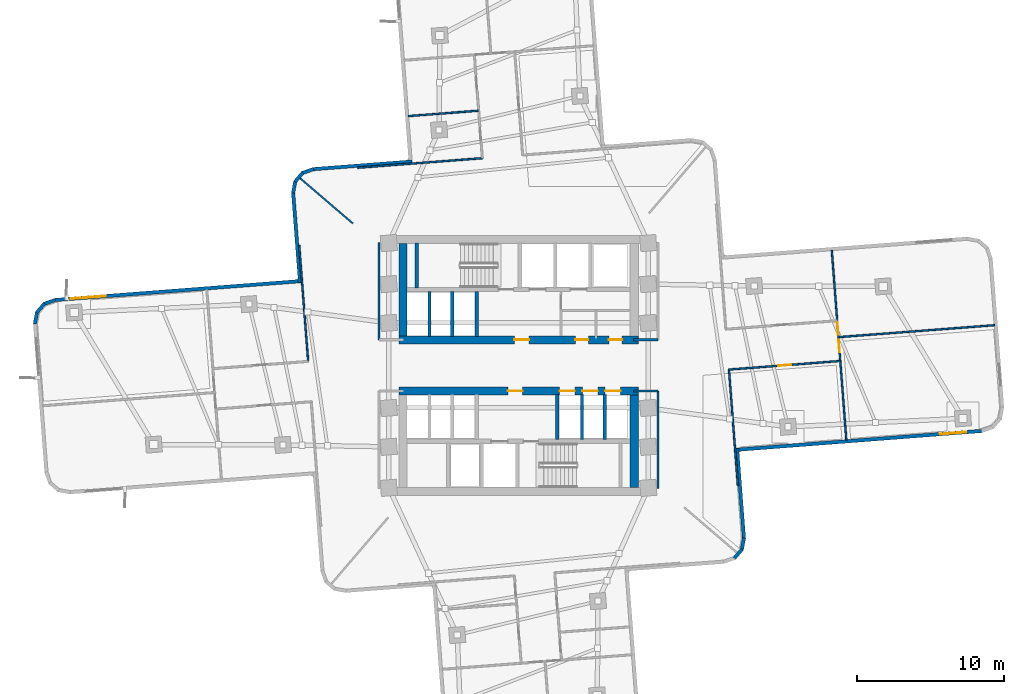
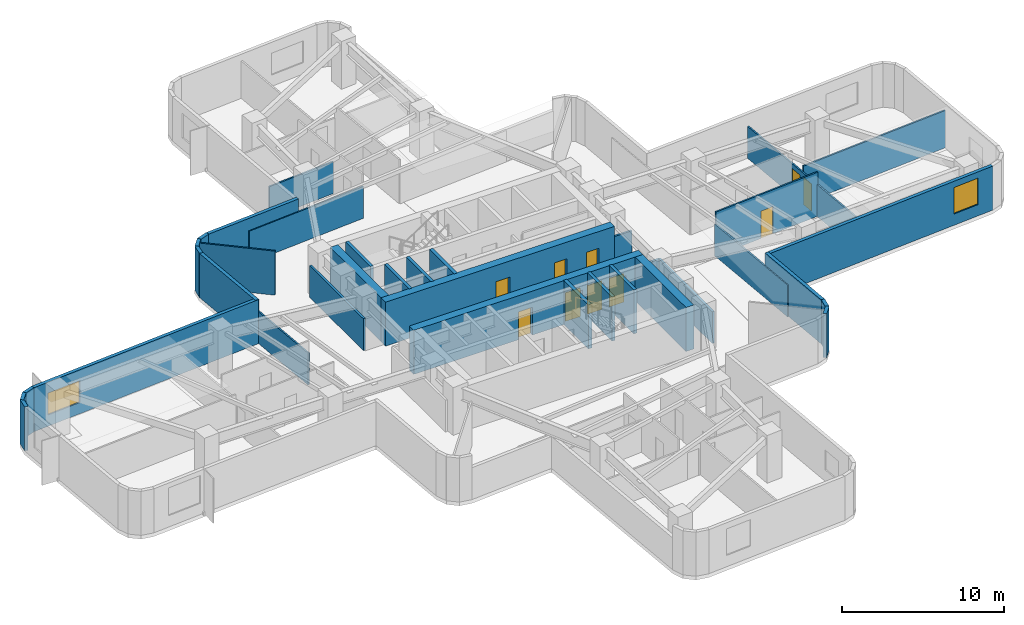
# One storey, part 4 of 10: 36 walls, 10 doors, 2 windows, 12 openings.
"""IFC4 building model written with IfcOpenShell, lengths in metres."""

from ifc_helpers import new_model, si_unit, direction, frame, frame_2d, origin, place, context, subcontext, project, spatial, rectangle, extrude, material, layer, layer_set, type_object, element, fill, save


model = new_model("IFC4")

# Units and contexts
model_context = context("Model", 3, precision=1e-05, world=origin(), true_north=direction((0.0, 1.0)))
body_context = subcontext(model_context, "Body", "Model", "MODEL_VIEW")
ifc_project = project(units=[si_unit("LENGTHUNIT", "METRE"), si_unit("AREAUNIT", "SQUARE_METRE"), si_unit("VOLUMEUNIT", "CUBIC_METRE"), si_unit("PLANEANGLEUNIT", "RADIAN"), si_unit("MASSUNIT", "GRAM", prefix="KILO")], contexts=[model_context])

# Site, building, storey
site_placement = place(None, origin())
site = spatial("IfcSite", under=ifc_project, at=site_placement, CompositionType="ELEMENT")
building_placement = place(site_placement, origin())
building = spatial("IfcBuilding", under=site, at=building_placement, Name="Solmarez Civic Tower", CompositionType="ELEMENT")
storey_placement = place(building_placement, frame((0.0, 0.0, 56.8798828125)))
storey = spatial("IfcBuildingStorey", under=building, at=storey_placement, Name="L14", CompositionType="ELEMENT", Elevation=56.8798828125)

# Wall, openings, doors
ifc_material_1 = material(Name="Concrete C60/75", Category="concrete")
ifc_layer_1 = layer(ifc_material_1, 0.550048828125)
ifc_layer_set_1 = layer_set([ifc_layer_1], Name="Concrete C60/75")
wall_type_1 = type_object("IfcWallType", Name="WALL-CORE-550", PredefinedType="SHEAR", material=ifc_layer_set_1)
wall_1_placement = place(storey_placement, frame((8.169921875, 1.75, 0.0), z_axis=(0.0, 0.0, 1.0), x_axis=(-1.0, 0.0, 0.0)))
wall_1 = element("IfcWall", 1, at=wall_1_placement, inside=storey, type_object=wall_type_1, Name="L14 Split-Core Structural Wall NCW-S-L14", PredefinedType="SHEAR", context=body_context, shape_type="SweptSolid", body=[
    extrude(rectangle(XDim=16.33984375, YDim=0.550048828125, at=frame_2d((8.169921875, 0.0))), origin(), (0.0, 0.0, 1.0), 3.320068359375),
])
opening_1_placement = place(wall_1_placement, frame((7.449951171875, 0.0, 0.0)))
opening_1 = element("IfcOpeningElement", 2, at=opening_1_placement, cuts=wall_1, Name="Opening D-04", PredefinedType="OPENING", context=body_context, shape_type="SweptSolid", body=[
    extrude(rectangle(XDim=1.0, YDim=2.10009765625, at=frame_2d((0.5, 1.050048828125))), frame((0.0, 0.284912109375, 0.0), z_axis=(0.0, -1.0, 0.0), x_axis=(1.0, 0.0, 0.0)), (0.0, 0.0, 1.0), 0.570068359375),
])
opening_2_placement = place(wall_1_placement, frame((3.39990234375, 0.0, 0.0)))
opening_2 = element("IfcOpeningElement", 3, at=opening_2_placement, cuts=wall_1, Name="Opening D-09", PredefinedType="OPENING", context=body_context, shape_type="SweptSolid", body=[
    extrude(rectangle(XDim=0.89990234375, YDim=2.06005859375, at=frame_2d((0.449951171875, 1.030029296875))), frame((0.0, 0.284912109375, 0.0), z_axis=(0.0, -1.0, 0.0), x_axis=(1.0, 0.0, 0.0)), (0.0, 0.0, 1.0), 0.570068359375),
])
opening_3_placement = place(wall_1_placement, frame((1.10009765625, 0.0, 0.0)))
opening_3 = element("IfcOpeningElement", 4, at=opening_3_placement, cuts=wall_1, Name="Opening D-09", PredefinedType="OPENING", context=body_context, shape_type="SweptSolid", body=[
    extrude(rectangle(XDim=0.89990234375, YDim=2.06005859375, at=frame_2d((0.449951171875, 1.030029296875))), frame((0.0, 0.284912109375, 0.0), z_axis=(0.0, -1.0, 0.0), x_axis=(1.0, 0.0, 0.0)), (0.0, 0.0, 1.0), 0.570068359375),
])
ifc_material_2 = material(Name="Steel-Faced Acoustic Fire Door", Category="steel")
door_type_1 = type_object("IfcDoorType", Name="DOOR-FD60-1000", OperationType="NOTDEFINED", PredefinedType="DOOR", material=ifc_material_2)
door_1_placement = place(opening_1_placement, origin())
door_1 = element("IfcDoor", 5, at=door_1_placement, inside=storey, type_object=door_type_1, Name="L14 North Firefighting Lobby Door", OperationType="SINGLE_SWING_LEFT", OverallHeight=2.10009765625, OverallWidth=1.0, PredefinedType="DOOR", context=body_context, shape_type="SweptSolid", body=[
    extrude(rectangle(XDim=1.0, YDim=2.10009765625, at=frame_2d((0.5, 1.050048828125))), frame((0.0, 0.02490234375, 0.0), z_axis=(0.0, -1.0, 0.0), x_axis=(1.0, 0.0, 0.0)), (0.0, 0.0, 1.0), 0.050048828125),
])
fill(opening_1, door_1)
ifc_material_3 = material(Name="Fire-Rated Service Core Door", Category="wood")
door_type_2 = type_object("IfcDoorType", Name="DOOR-FD60-900", OperationType="NOTDEFINED", PredefinedType="DOOR", material=ifc_material_3)
door_2_placement = place(opening_2_placement, origin())
door_2 = element("IfcDoor", 6, at=door_2_placement, inside=storey, type_object=door_type_2, Name="L14 Core WC Door", OperationType="SINGLE_SWING_LEFT", OverallHeight=2.06005859375, OverallWidth=0.89990234375, PredefinedType="DOOR", context=body_context, shape_type="SweptSolid", body=[
    extrude(rectangle(XDim=0.89990234375, YDim=2.06005859375, at=frame_2d((0.449951171875, 1.030029296875))), frame((0.0, 0.02490234375, 0.0), z_axis=(0.0, -1.0, 0.0), x_axis=(1.0, 0.0, 0.0)), (0.0, 0.0, 1.0), 0.050048828125),
])
fill(opening_2, door_2)
door_3_placement = place(opening_3_placement, origin())
door_3 = element("IfcDoor", 7, at=door_3_placement, inside=storey, type_object=door_type_2, Name="L14 Core CL Door", OperationType="SINGLE_SWING_RIGHT", OverallHeight=2.06005859375, OverallWidth=0.89990234375, PredefinedType="DOOR", context=body_context, shape_type="SweptSolid", body=[
    extrude(rectangle(XDim=0.89990234375, YDim=2.06005859375, at=frame_2d((0.449951171875, 1.030029296875))), frame((0.0, 0.02490234375, 0.0), z_axis=(0.0, -1.0, 0.0), x_axis=(1.0, 0.0, 0.0)), (0.0, 0.0, 1.0), 0.050048828125),
])
fill(opening_3, door_3)

# Wall
wall_2_placement = place(storey_placement, frame((-7.89501953125, 2.02490234375, 0.0), z_axis=(0.0, 0.0, 1.0), x_axis=(0.0, 1.0, 0.0)))
element("IfcWall", 8, at=wall_2_placement, inside=storey, type_object=wall_type_1, Name="L14 Split-Core Structural Wall NCW-W-L14", PredefinedType="SHEAR", context=body_context, shape_type="SweptSolid", body=[
    extrude(rectangle(XDim=6.28515625, YDim=0.550048828125, at=frame_2d((3.142578125, 0.0))), origin(), (0.0, 0.0, 1.0), 3.320068359375),
])

# Wall, openings, doors
wall_3_placement = place(storey_placement, frame((-8.169921875, -1.75, 0.0), z_axis=(0.0, 0.0, 1.0), x_axis=(1.0, 0.0, 0.0)))
wall_3 = element("IfcWall", 9, at=wall_3_placement, inside=storey, type_object=wall_type_1, Name="L14 Split-Core Structural Wall SCW-N-L14", PredefinedType="SHEAR", context=body_context, shape_type="SweptSolid", body=[
    extrude(rectangle(XDim=16.33984375, YDim=0.550048828125, at=frame_2d((8.169921875, 0.0))), origin(), (0.0, 0.0, 1.0), 3.320068359375),
])
opening_4_placement = place(wall_3_placement, frame((7.449951171875, 0.0, 0.0)))
opening_4 = element("IfcOpeningElement", 10, at=opening_4_placement, cuts=wall_3, Name="Opening D-04", PredefinedType="OPENING", context=body_context, shape_type="SweptSolid", body=[
    extrude(rectangle(XDim=1.0, YDim=2.10009765625, at=frame_2d((0.5, 1.050048828125))), frame((0.0, 0.284912109375, 0.0), z_axis=(0.0, -1.0, 0.0), x_axis=(1.0, 0.0, 0.0)), (0.0, 0.0, 1.0), 0.570068359375),
])
opening_5_placement = place(wall_3_placement, frame((10.965087890625, 0.0, 0.0)))
opening_5 = element("IfcOpeningElement", 11, at=opening_5_placement, cuts=wall_3, Name="Opening LD-01", PredefinedType="OPENING", context=body_context, shape_type="SweptSolid", body=[
    extrude(rectangle(XDim=1.050048828125, YDim=2.14990234375, at=frame_2d((0.52490234375, 1.074951171875))), frame((0.0, 0.284912109375, 0.0), z_axis=(0.0, -1.0, 0.0), x_axis=(1.0, 0.0, 0.0)), (0.0, 0.0, 1.0), 0.570068359375),
])
opening_6_placement = place(wall_3_placement, frame((12.52490234375, 0.0, 0.0)))
opening_6 = element("IfcOpeningElement", 12, at=opening_6_placement, cuts=wall_3, Name="Opening LD-01", PredefinedType="OPENING", context=body_context, shape_type="SweptSolid", body=[
    extrude(rectangle(XDim=1.050048828125, YDim=2.14990234375, at=frame_2d((0.52490234375, 1.074951171875))), frame((0.0, 0.284912109375, 0.0), z_axis=(0.0, -1.0, 0.0), x_axis=(1.0, 0.0, 0.0)), (0.0, 0.0, 1.0), 0.570068359375),
])
opening_7_placement = place(wall_3_placement, frame((14.0849609375, 0.0, 0.0)))
opening_7 = element("IfcOpeningElement", 13, at=opening_7_placement, cuts=wall_3, Name="Opening LD-01", PredefinedType="OPENING", context=body_context, shape_type="SweptSolid", body=[
    extrude(rectangle(XDim=1.050048828125, YDim=2.14990234375, at=frame_2d((0.52490234375, 1.074951171875))), frame((0.0, 0.284912109375, 0.0), z_axis=(0.0, -1.0, 0.0), x_axis=(1.0, 0.0, 0.0)), (0.0, 0.0, 1.0), 0.570068359375),
])
door_4_placement = place(opening_4_placement, origin())
door_4 = element("IfcDoor", 14, at=door_4_placement, inside=storey, type_object=door_type_1, Name="L14 South Firefighting Lobby Door", OperationType="SINGLE_SWING_RIGHT", OverallHeight=2.10009765625, OverallWidth=1.0, PredefinedType="DOOR", context=body_context, shape_type="SweptSolid", body=[
    extrude(rectangle(XDim=1.0, YDim=2.10009765625, at=frame_2d((0.5, 1.050048828125))), frame((0.0, 0.02490234375, 0.0), z_axis=(0.0, -1.0, 0.0), x_axis=(1.0, 0.0, 0.0)), (0.0, 0.0, 1.0), 0.050048828125),
])
fill(opening_4, door_4)
ifc_material_4 = material(Name="Bronze Passenger Lift Landing Sliding Door", Category="aluminium")
door_type_3 = type_object("IfcDoorType", Name="DOOR-LD-PAX-1050", OperationType="DOUBLE_DOOR_SLIDING", PredefinedType="DOOR", material=ifc_material_4)
door_5_placement = place(opening_5_placement, origin())
door_5 = element("IfcDoor", 15, at=door_5_placement, inside=storey, type_object=door_type_3, Name="L14 Low-Rise Lift Landing Door PL-L1", OperationType="DOUBLE_DOOR_SLIDING", OverallHeight=2.14990234375, OverallWidth=1.050048828125, PredefinedType="DOOR", context=body_context, shape_type="SweptSolid", body=[
    extrude(rectangle(XDim=1.050048828125, YDim=2.14990234375, at=frame_2d((0.52490234375, 1.074951171875))), frame((0.0, 0.02490234375, 0.0), z_axis=(0.0, -1.0, 0.0), x_axis=(1.0, 0.0, 0.0)), (0.0, 0.0, 1.0), 0.050048828125),
])
fill(opening_5, door_5)
door_6_placement = place(opening_6_placement, origin())
door_6 = element("IfcDoor", 16, at=door_6_placement, inside=storey, type_object=door_type_3, Name="L14 Low-Rise Lift Landing Door PL-L2", OperationType="DOUBLE_DOOR_SLIDING", OverallHeight=2.14990234375, OverallWidth=1.050048828125, PredefinedType="DOOR", context=body_context, shape_type="SweptSolid", body=[
    extrude(rectangle(XDim=1.050048828125, YDim=2.14990234375, at=frame_2d((0.52490234375, 1.074951171875))), frame((0.0, 0.02490234375, 0.0), z_axis=(0.0, -1.0, 0.0), x_axis=(1.0, 0.0, 0.0)), (0.0, 0.0, 1.0), 0.050048828125),
])
fill(opening_6, door_6)
door_7_placement = place(opening_7_placement, origin())
door_7 = element("IfcDoor", 17, at=door_7_placement, inside=storey, type_object=door_type_3, Name="L14 Low-Rise Lift Landing Door PL-L3", OperationType="DOUBLE_DOOR_SLIDING", OverallHeight=2.14990234375, OverallWidth=1.050048828125, PredefinedType="DOOR", context=body_context, shape_type="SweptSolid", body=[
    extrude(rectangle(XDim=1.050048828125, YDim=2.14990234375, at=frame_2d((0.52490234375, 1.074951171875))), frame((0.0, 0.02490234375, 0.0), z_axis=(0.0, -1.0, 0.0), x_axis=(1.0, 0.0, 0.0)), (0.0, 0.0, 1.0), 0.050048828125),
])
fill(opening_7, door_7)

# Walls
wall_4_placement = place(storey_placement, frame((7.89501953125, -2.02490234375, 0.0), z_axis=(0.0, 0.0, 1.0), x_axis=(0.0, -1.0, 0.0)))
element("IfcWall", 18, at=wall_4_placement, inside=storey, type_object=wall_type_1, Name="L14 Split-Core Structural Wall SCW-E-L14", PredefinedType="SHEAR", context=body_context, shape_type="SweptSolid", body=[
    extrude(rectangle(XDim=6.28515625, YDim=0.550048828125, at=frame_2d((3.142578125, 0.0))), origin(), (0.0, 0.0, 1.0), 3.320068359375),
])
ifc_material_5 = material(Name="Precast concrete C40/50", Category="concrete")
ifc_layer_2 = layer(ifc_material_5, 0.239990234375)
ifc_layer_set_2 = layer_set([ifc_layer_2], Name="Precast concrete C40/50")
wall_type_2 = type_object("IfcWallType", Name="WALL-EXT-240", PredefinedType="SOLIDWALL", material=ifc_layer_set_2)
wall_5_placement = place(storey_placement, frame((-33.001953125, 2.8359375, 0.0), z_axis=(0.0, 0.0, 1.0), x_axis=(0.185263427582, 0.982688894005, 0.0)))
element("IfcWall", 19, at=wall_5_placement, inside=storey, type_object=wall_type_2, Name="L14 Exterior Precast Wall 7", PredefinedType="SOLIDWALL", context=body_context, shape_type="SweptSolid", body=[
    extrude(rectangle(XDim=0.83154296875, YDim=0.239990234375, at=frame_2d((0.415771484375, 0.0))), origin(), (0.0, 0.0, 1.0), 3.320068359375),
])
wall_6_placement = place(storey_placement, frame((-32.868896484375, 3.60888671875, 0.0), z_axis=(0.0, 0.0, 1.0), x_axis=(0.650049601962, 0.759891778471, 0.0)))
element("IfcWall", 20, at=wall_6_placement, inside=storey, type_object=wall_type_2, Name="L14 Exterior Precast Wall 8", PredefinedType="SOLIDWALL", context=body_context, shape_type="SweptSolid", body=[
    extrude(rectangle(XDim=0.8134765625, YDim=0.239990234375, at=frame_2d((0.40673828125, 0.0))), origin(), (0.0, 0.0, 1.0), 3.320068359375),
])
wall_7_placement = place(storey_placement, frame((-32.3798828125, 4.199951171875, 0.0), z_axis=(0.0, 0.0, 1.0), x_axis=(0.943569376564, 0.331174926, 0.0)))
element("IfcWall", 21, at=wall_7_placement, inside=storey, type_object=wall_type_2, Name="L14 Exterior Precast Wall 9", PredefinedType="SOLIDWALL", context=body_context, shape_type="SweptSolid", body=[
    extrude(rectangle(XDim=0.830810546875, YDim=0.239990234375, at=frame_2d((0.41552734375, 0.0))), origin(), (0.0, 0.0, 1.0), 3.320068359375),
])

# Wall, opening, window
wall_8_placement = place(storey_placement, frame((-31.64501953125, 4.465087890625, 0.0), z_axis=(0.0, 0.0, 1.0), x_axis=(0.997051676532, 0.076733006752, 0.0)))
wall_8 = element("IfcWall", 22, at=wall_8_placement, inside=storey, type_object=wall_type_2, Name="L14 Exterior Precast Wall 10", PredefinedType="SOLIDWALL", context=body_context, shape_type="SweptSolid", body=[
    extrude(rectangle(XDim=16.875732421875, YDim=0.239990234375, at=frame_2d((8.43798828125, 0.0))), origin(), (0.0, 0.0, 1.0), 3.320068359375),
])
opening_8_placement = place(wall_8_placement, frame((1.10009765625, 0.0, 0.85009765625)))
opening_8 = element("IfcOpeningElement", 23, at=opening_8_placement, cuts=wall_8, Name="Opening W-10", PredefinedType="OPENING", context=body_context, shape_type="SweptSolid", body=[
    extrude(rectangle(XDim=2.39990234375, YDim=1.64990234375, at=frame_2d((1.199951171875, 0.824951171875))), frame((0.0, 0.1298828125, 0.0), z_axis=(0.0, -1.0, 0.0), x_axis=(1.0, 0.0, 0.0)), (0.0, 0.0, 1.0), 0.260009765625),
])
ifc_material_6 = material(Name="Solar Control Bronze-Tinted Insulating Glass", Category="glass")
window_type_1 = type_object("IfcWindowType", Name="WIN-2400X1650", PartitioningType="SINGLE_PANEL", PredefinedType="WINDOW", material=ifc_material_6)
window_1_placement = place(opening_8_placement, origin())
window_1 = element("IfcWindow", 24, at=window_1_placement, inside=storey, type_object=window_type_1, Name="L14 Exterior Facade Window 10", OverallHeight=1.64990234375, OverallWidth=2.39990234375, PartitioningType="SINGLE_PANEL", PredefinedType="WINDOW", context=body_context, shape_type="SweptSolid", body=[
    extrude(rectangle(XDim=2.39990234375, YDim=1.64990234375, at=frame_2d((1.199951171875, 0.824951171875))), frame((0.0, 0.030029296875, 0.0), z_axis=(0.0, -1.0, 0.0), x_axis=(1.0, 0.0, 0.0)), (0.0, 0.0, 1.0), 0.06005859375),
])
fill(opening_8, window_1)

# Walls
wall_9_placement = place(storey_placement, frame((-14.907958984375, 5.656982421875, 0.0), z_axis=(0.0, 0.0, 1.0), x_axis=(-0.076778128006, 0.997048202977, 0.0)))
element("IfcWall", 25, at=wall_9_placement, inside=storey, type_object=wall_type_2, Name="L14 Exterior Precast Wall 13", PredefinedType="SOLIDWALL", context=body_context, shape_type="SweptSolid", body=[
    extrude(rectangle(XDim=6.17529296875, YDim=0.239990234375, at=frame_2d((3.087646484375, 0.0))), origin(), (0.0, 0.0, 1.0), 3.320068359375),
])
wall_10_placement = place(storey_placement, frame((-15.385009765625, 11.763916015625, 0.0), z_axis=(0.0, 0.0, 1.0), x_axis=(0.185263427582, 0.982688894005, 0.0)))
element("IfcWall", 26, at=wall_10_placement, inside=storey, type_object=wall_type_2, Name="L14 Exterior Precast Wall 14", PredefinedType="SOLIDWALL", context=body_context, shape_type="SweptSolid", body=[
    extrude(rectangle(XDim=0.83154296875, YDim=0.239990234375, at=frame_2d((0.415771484375, 0.0))), origin(), (0.0, 0.0, 1.0), 3.320068359375),
])
wall_11_placement = place(storey_placement, frame((-15.251953125, 12.537109375, 0.0), z_axis=(0.0, 0.0, 1.0), x_axis=(0.650371098657, 0.759616636226, 0.0)))
element("IfcWall", 27, at=wall_11_placement, inside=storey, type_object=wall_type_2, Name="L14 Exterior Precast Wall 15", PredefinedType="SOLIDWALL", context=body_context, shape_type="SweptSolid", body=[
    extrude(rectangle(XDim=0.8134765625, YDim=0.239990234375, at=frame_2d((0.40673828125, 0.0))), origin(), (0.0, 0.0, 1.0), 3.320068359375),
])
wall_12_placement = place(storey_placement, frame((-14.762939453125, 13.1279296875, 0.0), z_axis=(0.0, 0.0, 1.0), x_axis=(0.943569376564, 0.331174926, 0.0)))
element("IfcWall", 28, at=wall_12_placement, inside=storey, type_object=wall_type_2, Name="L14 Exterior Precast Wall 16", PredefinedType="SOLIDWALL", context=body_context, shape_type="SweptSolid", body=[
    extrude(rectangle(XDim=0.830810546875, YDim=0.239990234375, at=frame_2d((0.41552734375, 0.0))), origin(), (0.0, 0.0, 1.0), 3.320068359375),
])
wall_13_placement = place(storey_placement, frame((-14.028076171875, 13.39306640625, 0.0), z_axis=(0.0, 0.0, 1.0), x_axis=(0.997050032451, 0.076754366588, 0.0)))
element("IfcWall", 29, at=wall_13_placement, inside=storey, type_object=wall_type_2, Name="L14 Exterior Precast Wall 17", PredefinedType="SOLIDWALL", context=body_context, shape_type="SweptSolid", body=[
    extrude(rectangle(XDim=6.775146484375, YDim=0.239990234375, at=frame_2d((3.3876953125, 0.0))), origin(), (0.0, 0.0, 1.0), 3.320068359375),
])

# Wall, opening, window
wall_14_placement = place(storey_placement, frame((31.64501953125, -4.465087890625, 0.0), z_axis=(0.0, 0.0, 1.0), x_axis=(-0.997051676532, -0.076733006752, 0.0)))
wall_14 = element("IfcWall", 30, at=wall_14_placement, inside=storey, type_object=wall_type_2, Name="L14 Exterior Precast Wall 46", PredefinedType="SOLIDWALL", context=body_context, shape_type="SweptSolid", body=[
    extrude(rectangle(XDim=16.875732421875, YDim=0.239990234375, at=frame_2d((8.43798828125, 0.0))), origin(), (0.0, 0.0, 1.0), 3.320068359375),
])
opening_9_placement = place(wall_14_placement, frame((1.10009765625, 0.0, 0.85009765625)))
opening_9 = element("IfcOpeningElement", 31, at=opening_9_placement, cuts=wall_14, Name="Opening W-04", PredefinedType="OPENING", context=body_context, shape_type="SweptSolid", body=[
    extrude(rectangle(XDim=1.800048828125, YDim=2.0, at=frame_2d((0.89990234375, 1.0))), frame((0.0, 0.1298828125, 0.0), z_axis=(0.0, -1.0, 0.0), x_axis=(1.0, 0.0, 0.0)), (0.0, 0.0, 1.0), 0.260009765625),
])
window_type_2 = type_object("IfcWindowType", Name="WIN-1800X2000", PartitioningType="SINGLE_PANEL", PredefinedType="WINDOW", material=ifc_material_6)
window_2_placement = place(opening_9_placement, origin())
window_2 = element("IfcWindow", 32, at=window_2_placement, inside=storey, type_object=window_type_2, Name="L14 Exterior Facade Window 46", OverallHeight=2.0, OverallWidth=1.800048828125, PartitioningType="SINGLE_PANEL", PredefinedType="WINDOW", context=body_context, shape_type="SweptSolid", body=[
    extrude(rectangle(XDim=1.800048828125, YDim=2.0, at=frame_2d((0.89990234375, 1.0))), frame((0.0, 0.030029296875, 0.0), z_axis=(0.0, -1.0, 0.0), x_axis=(1.0, 0.0, 0.0)), (0.0, 0.0, 1.0), 0.06005859375),
])
fill(opening_9, window_2)

# Walls
wall_15_placement = place(storey_placement, frame((14.907958984375, -5.656982421875, 0.0), z_axis=(0.0, 0.0, 1.0), x_axis=(0.076778128006, -0.997048202977, 0.0)))
element("IfcWall", 33, at=wall_15_placement, inside=storey, type_object=wall_type_2, Name="L14 Exterior Precast Wall 49", PredefinedType="SOLIDWALL", context=body_context, shape_type="SweptSolid", body=[
    extrude(rectangle(XDim=6.17529296875, YDim=0.239990234375, at=frame_2d((3.087646484375, 0.0))), origin(), (0.0, 0.0, 1.0), 3.320068359375),
])
wall_16_placement = place(storey_placement, frame((15.385009765625, -11.763916015625, 0.0), z_axis=(0.0, 0.0, 1.0), x_axis=(-0.185263427582, -0.982688894005, 0.0)))
element("IfcWall", 34, at=wall_16_placement, inside=storey, type_object=wall_type_2, Name="L14 Exterior Precast Wall 50", PredefinedType="SOLIDWALL", context=body_context, shape_type="SweptSolid", body=[
    extrude(rectangle(XDim=0.83154296875, YDim=0.239990234375, at=frame_2d((0.415771484375, 0.0))), origin(), (0.0, 0.0, 1.0), 3.320068359375),
])
wall_17_placement = place(storey_placement, frame((15.251953125, -12.537109375, 0.0), z_axis=(0.0, 0.0, 1.0), x_axis=(-0.650371098657, -0.759616636226, 0.0)))
element("IfcWall", 35, at=wall_17_placement, inside=storey, type_object=wall_type_2, Name="L14 Exterior Precast Wall 51", PredefinedType="SOLIDWALL", context=body_context, shape_type="SweptSolid", body=[
    extrude(rectangle(XDim=0.8134765625, YDim=0.239990234375, at=frame_2d((0.40673828125, 0.0))), origin(), (0.0, 0.0, 1.0), 3.320068359375),
])
ifc_material_7 = material(Name="Gypsum Board Acoustic Steel-Stud Partition", Category="steel")
ifc_layer_3 = layer(ifc_material_7, 0.14990234375)
ifc_layer_set_3 = layer_set([ifc_layer_3], Name="Gypsum Board Acoustic Steel-Stud Partition")
wall_type_3 = type_object("IfcWallType", Name="WALL-INT-FIRE-150", PredefinedType="PARTITIONING", material=ifc_layer_set_3)
wall_18_placement = place(storey_placement, frame((-9.52001953125, 1.75, 0.0), z_axis=(0.0, 0.0, 1.0), x_axis=(0.0, 1.0, 0.0)))
element("IfcWall", 36, at=wall_18_placement, inside=storey, type_object=wall_type_3, Name="L14 Interior Partition CHW-L14-WN1", PredefinedType="PARTITIONING", context=body_context, shape_type="SweptSolid", body=[
    extrude(rectangle(XDim=6.6298828125, YDim=0.14990234375, at=frame_2d((3.31494140625, 0.0))), origin(), (0.0, 0.0, 1.0), 2.401123046875),
])
wall_19_placement = place(storey_placement, frame((7.85009765625, 1.75, 0.0), z_axis=(0.0, 0.0, 1.0), x_axis=(1.0, 0.0, 0.0)))
element("IfcWall", 37, at=wall_19_placement, inside=storey, type_object=wall_type_3, Name="L14 Interior Partition CHW-L14-EN3", PredefinedType="PARTITIONING", context=body_context, shape_type="SweptSolid", body=[
    extrude(rectangle(XDim=1.669921875, YDim=0.14990234375, at=frame_2d((0.8349609375, 0.0))), origin(), (0.0, 0.0, 1.0), 2.385009765625),
])
wall_20_placement = place(storey_placement, frame((9.52001953125, -8.3798828125, 0.0), z_axis=(0.0, 0.0, 1.0), x_axis=(0.0, 1.0, 0.0)))
element("IfcWall", 38, at=wall_20_placement, inside=storey, type_object=wall_type_3, Name="L14 Interior Partition CHW-L14-ES1", PredefinedType="PARTITIONING", context=body_context, shape_type="SweptSolid", body=[
    extrude(rectangle(XDim=6.6298828125, YDim=0.14990234375, at=frame_2d((3.31494140625, 0.0))), origin(), (0.0, 0.0, 1.0), 2.401123046875),
])
wall_21_placement = place(storey_placement, frame((7.85009765625, -1.75, 0.0), z_axis=(0.0, 0.0, 1.0), x_axis=(1.0, 0.0, 0.0)))
element("IfcWall", 39, at=wall_21_placement, inside=storey, type_object=wall_type_3, Name="L14 Interior Partition CHW-L14-ES3", PredefinedType="PARTITIONING", context=body_context, shape_type="SweptSolid", body=[
    extrude(rectangle(XDim=1.669921875, YDim=0.14990234375, at=frame_2d((0.8349609375, 0.0))), origin(), (0.0, 0.0, 1.0), 2.385009765625),
])
ifc_layer_4 = layer(ifc_material_7, 0.110107421875)
ifc_layer_set_4 = layer_set([ifc_layer_4], Name="Gypsum Board Acoustic Steel-Stud Partition")
wall_type_4 = type_object("IfcWallType", Name="WALL-INT-PART-110", PredefinedType="PARTITIONING", material=ifc_layer_set_4)
wall_22_placement = place(storey_placement, frame((-11.300048828125, 9.68505859375, 0.0), z_axis=(0.0, 0.0, 1.0), x_axis=(-0.759206042513, 0.650850355313, 0.0)))
element("IfcWall", 40, at=wall_22_placement, inside=storey, type_object=wall_type_4, Name="L14 Interior Partition PT-L14-QDIV-2", PredefinedType="PARTITIONING", context=body_context, shape_type="SweptSolid", body=[
    extrude(rectangle(XDim=4.772216796875, YDim=0.110107421875, at=frame_2d((2.38623046875, 0.0))), origin(), (0.0, 0.0, 1.0), 3.320068359375),
])
wall_23_placement = place(storey_placement, frame((14.962890625, -8.197021484375, 0.0), z_axis=(0.0, 0.0, 1.0), x_axis=(-0.076708240121, 0.99705358226, 0.0)))
element("IfcWall", 41, at=wall_23_placement, inside=storey, type_object=wall_type_4, Name="L14 Interior Partition PT-L14-E-EFR", PredefinedType="PARTITIONING", context=body_context, shape_type="SweptSolid", body=[
    extrude(rectangle(XDim=7.950439453125, YDim=0.110107421875, at=frame_2d((3.97509765625, 0.0))), origin(), (0.0, 0.0, 1.0), 2.401123046875),
])

# Wall, opening, door
wall_24_placement = place(storey_placement, frame((14.35400390625, -0.280029296875, 0.0), z_axis=(0.0, 0.0, 1.0), x_axis=(0.997048639669, 0.076772456877, 0.0)))
wall_24 = element("IfcWall", 42, at=wall_24_placement, inside=storey, type_object=wall_type_4, Name="L14 Interior Partition PT-L14-E-SR", PredefinedType="PARTITIONING", context=body_context, shape_type="SweptSolid", body=[
    extrude(rectangle(XDim=7.619384765625, YDim=0.110107421875, at=frame_2d((3.8095703125, 0.0))), origin(), (0.0, 0.0, 1.0), 3.320068359375),
])
opening_10_placement = place(wall_24_placement, frame((3.360107421875, 0.0, 0.0)))
opening_10 = element("IfcOpeningElement", 43, at=opening_10_placement, cuts=wall_24, Name="Opening D-08", PredefinedType="OPENING", context=body_context, shape_type="SweptSolid", body=[
    extrude(rectangle(XDim=0.89990234375, YDim=2.06005859375, at=frame_2d((0.449951171875, 1.030029296875))), frame((0.0, 0.06494140625, 0.0), z_axis=(0.0, -1.0, 0.0), x_axis=(1.0, 0.0, 0.0)), (0.0, 0.0, 1.0), 0.130126953125),
])
ifc_material_8 = material(Name="Solid-Core Timber Office Door", Category="wood")
door_type_4 = type_object("IfcDoorType", Name="DOOR-INT-900", OperationType="NOTDEFINED", PredefinedType="DOOR", material=ifc_material_8)
door_8_placement = place(opening_10_placement, origin())
door_8 = element("IfcDoor", 44, at=door_8_placement, inside=storey, type_object=door_type_4, Name="L14 Catering Servery East Door", OperationType="SINGLE_SWING_RIGHT", OverallHeight=2.06005859375, OverallWidth=0.89990234375, PredefinedType="DOOR", context=body_context, shape_type="SweptSolid", body=[
    extrude(rectangle(XDim=0.89990234375, YDim=2.06005859375, at=frame_2d((0.449951171875, 1.030029296875))), frame((0.0, 0.02490234375, 0.0), z_axis=(0.0, -1.0, 0.0), x_axis=(1.0, 0.0, 0.0)), (0.0, 0.0, 1.0), 0.050048828125),
])
fill(opening_10, door_8)

# Wall
wall_25_placement = place(storey_placement, frame((21.885986328125, 1.93505859375, 0.0), z_axis=(0.0, 0.0, 1.0), x_axis=(0.997054350339, 0.076698255973, 0.0)))
element("IfcWall", 45, at=wall_25_placement, inside=storey, type_object=wall_type_4, Name="L14 Interior Partition PT-L14-E-TM", PredefinedType="PARTITIONING", context=body_context, shape_type="SweptSolid", body=[
    extrude(rectangle(XDim=10.625244140625, YDim=0.110107421875, at=frame_2d((5.3125, 0.0))), origin(), (0.0, 0.0, 1.0), 2.81201171875),
])

# Wall, openings, doors
wall_26_placement = place(storey_placement, frame((21.3701171875, 7.85791015625, 0.0), z_axis=(0.0, 0.0, 1.0), x_axis=(0.076662005745, -0.99705713822, 0.0)))
wall_26 = element("IfcWall", 46, at=wall_26_placement, inside=storey, type_object=wall_type_4, Name="L14 Interior Partition PT-L14-E-END", PredefinedType="PARTITIONING", context=body_context, shape_type="SweptSolid", body=[
    extrude(rectangle(XDim=12.990234375, YDim=0.110107421875, at=frame_2d((6.4951171875, 0.0))), origin(), (0.0, 0.0, 1.0), 2.401123046875),
])
opening_11_placement = place(wall_26_placement, frame((6.114990234375, 0.0, 0.0)))
opening_11 = element("IfcOpeningElement", 47, at=opening_11_placement, cuts=wall_26, Name="Opening D-14", PredefinedType="OPENING", context=body_context, shape_type="SweptSolid", body=[
    extrude(rectangle(XDim=0.860107421875, YDim=2.0400390625, at=frame_2d((0.43017578125, 1.02001953125))), frame((0.0, 0.06494140625, 0.0), z_axis=(0.0, -1.0, 0.0), x_axis=(1.0, 0.0, 0.0)), (0.0, 0.0, 1.0), 0.130126953125),
])
opening_12_placement = place(wall_26_placement, frame((4.9150390625, 0.0, 0.0)))
opening_12 = element("IfcOpeningElement", 48, at=opening_12_placement, cuts=wall_26, Name="Opening D-14", PredefinedType="OPENING", context=body_context, shape_type="SweptSolid", body=[
    extrude(rectangle(XDim=0.860107421875, YDim=2.0400390625, at=frame_2d((0.43017578125, 1.02001953125))), frame((0.0, 0.06494140625, 0.0), z_axis=(0.0, -1.0, 0.0), x_axis=(1.0, 0.0, 0.0)), (0.0, 0.0, 1.0), 0.130126953125),
])
ifc_material_9 = material(Name="Timber Storage and Pantry Door", Category="wood")
door_type_5 = type_object("IfcDoorType", Name="DOOR-INT-850", OperationType="NOTDEFINED", PredefinedType="DOOR", material=ifc_material_9)
door_9_placement = place(opening_11_placement, origin())
door_9 = element("IfcDoor", 49, at=door_9_placement, inside=storey, type_object=door_type_5, Name="L14 Civic Multi-Purpose Room Sixth East Door", OperationType="SINGLE_SWING_RIGHT", OverallHeight=2.0400390625, OverallWidth=0.860107421875, PredefinedType="DOOR", context=body_context, shape_type="SweptSolid", body=[
    extrude(rectangle(XDim=0.860107421875, YDim=2.0400390625, at=frame_2d((0.43017578125, 1.02001953125))), frame((0.0, 0.02490234375, 0.0), z_axis=(0.0, -1.0, 0.0), x_axis=(1.0, 0.0, 0.0)), (0.0, 0.0, 1.0), 0.050048828125),
])
fill(opening_11, door_9)
door_10_placement = place(opening_12_placement, origin())
door_10 = element("IfcDoor", 50, at=door_10_placement, inside=storey, type_object=door_type_5, Name="L14 Delegates Sitting Lounge Fifth East Door", OperationType="SINGLE_SWING_LEFT", OverallHeight=2.0400390625, OverallWidth=0.860107421875, PredefinedType="DOOR", context=body_context, shape_type="SweptSolid", body=[
    extrude(rectangle(XDim=0.860107421875, YDim=2.0400390625, at=frame_2d((0.43017578125, 1.02001953125))), frame((0.0, 0.02490234375, 0.0), z_axis=(0.0, -1.0, 0.0), x_axis=(1.0, 0.0, 0.0)), (0.0, 0.0, 1.0), 0.050048828125),
])
fill(opening_12, door_10)

# Walls
wall_27_placement = place(storey_placement, frame((-2.4619140625, 14.14306640625, 0.0), z_axis=(0.0, 0.0, 1.0), x_axis=(-0.997052469631, -0.076722700704, 0.0)))
element("IfcWall", 51, at=wall_27_placement, inside=storey, type_object=wall_type_4, Name="L14 Interior Partition PT-L14-N-EFL", PredefinedType="PARTITIONING", context=body_context, shape_type="SweptSolid", body=[
    extrude(rectangle(XDim=8.55029296875, YDim=0.110107421875, at=frame_2d((4.275146484375, 0.0))), origin(), (0.0, 0.0, 1.0), 2.401123046875),
])
wall_28_placement = place(storey_placement, frame((-2.741943359375, 17.381103515625, 0.0), z_axis=(0.0, 0.0, 1.0), x_axis=(-0.99704699188, -0.07679385381, 0.0)))
element("IfcWall", 52, at=wall_28_placement, inside=storey, type_object=wall_type_4, Name="L14 Interior Partition PT-L14-N-LM", PredefinedType="PARTITIONING", context=body_context, shape_type="SweptSolid", body=[
    extrude(rectangle(XDim=4.794189453125, YDim=0.110107421875, at=frame_2d((2.39697265625, 0.0))), origin(), (0.0, 0.0, 1.0), 2.401123046875),
])
wall_29_placement = place(storey_placement, frame((-14.962890625, 8.197021484375, 0.0), z_axis=(0.0, 0.0, 1.0), x_axis=(0.076708240121, -0.99705358226, 0.0)))
element("IfcWall", 53, at=wall_29_placement, inside=storey, type_object=wall_type_4, Name="L14 Interior Partition PT-L14-W-EFR", PredefinedType="PARTITIONING", context=body_context, shape_type="SweptSolid", body=[
    extrude(rectangle(XDim=7.950439453125, YDim=0.110107421875, at=frame_2d((3.97509765625, 0.0))), origin(), (0.0, 0.0, 1.0), 2.401123046875),
])
ifc_material_10 = material(Name="Concrete C50/60", Category="concrete")
ifc_layer_5 = layer(ifc_material_10, 0.300048828125)
ifc_layer_set_5 = layer_set([ifc_layer_5], Name="Concrete C50/60")
wall_type_5 = type_object("IfcWallType", Name="WALL-STR-300", PredefinedType="SOLIDWALL", material=ifc_layer_set_5)
wall_30_placement = place(storey_placement, frame((-6.949951171875, 5.280029296875, 0.0), z_axis=(0.0, 0.0, 1.0), x_axis=(0.0, 1.0, 0.0)))
element("IfcWall", 54, at=wall_30_placement, inside=storey, type_object=wall_type_5, Name="L14 Split-Core Structural Wall SHW-NW-L14", PredefinedType="SOLIDWALL", context=body_context, shape_type="SweptSolid", body=[
    extrude(rectangle(XDim=3.06005859375, YDim=0.219970703125, at=frame_2d((1.530029296875, 0.0))), origin(), (0.0, 0.0, 1.0), 3.320068359375),
])
for number, where, z_axis, x_axis, name in (
    (55, (-2.85009765625, 1.97998046875, 0.0), (0.0, 0.0, 1.0), (0.0, 1.0, 0.0), "L14 Split-Core Structural Wall SHW-NL1-L14"),
    (56, (2.64990234375, -5.050048828125, 0.0), (0.0, 0.0, 1.0), (0.0, 1.0, 0.0), "L14 Split-Core Structural Wall SHW-SL2-L14"),
):
    element("IfcWall", number, at=place(storey_placement, frame(where, z_axis=z_axis, x_axis=x_axis)), inside=storey, type_object=wall_type_5, Name=name, PredefinedType="SOLIDWALL", context=body_context, shape_type="SweptSolid", body=[
        extrude(rectangle(XDim=3.070068359375, YDim=0.25, at=frame_2d((1.53515625, 0.0))), origin(), (0.0, 0.0, 1.0), 3.320068359375),
    ])
for number, where, z_axis, x_axis, name in (
    (57, (-6.080078125, 1.97998046875, 0.0), (0.0, 0.0, 1.0), (0.0, 1.0, 0.0), "L14 Split-Core Structural Wall SHW-PLH-L14-1"),
    (58, (-4.52001953125, 1.97998046875, 0.0), (0.0, 0.0, 1.0), (0.0, 1.0, 0.0), "L14 Split-Core Structural Wall SHW-PLH-L14-2"),
    (59, (4.320068359375, -5.050048828125, 0.0), (0.0, 0.0, 1.0), (0.0, 1.0, 0.0), "L14 Split-Core Structural Wall SHW-PLL-L14-1"),
    (60, (5.8798828125, -5.050048828125, 0.0), (0.0, 0.0, 1.0), (0.0, 1.0, 0.0), "L14 Split-Core Structural Wall SHW-PLL-L14-2"),
):
    element("IfcWall", number, at=place(storey_placement, frame(where, z_axis=z_axis, x_axis=x_axis)), inside=storey, type_object=wall_type_5, Name=name, PredefinedType="SOLIDWALL", context=body_context, shape_type="SweptSolid", body=[
        extrude(rectangle(XDim=3.070068359375, YDim=0.219970703125, at=frame_2d((1.53515625, 0.0))), origin(), (0.0, 0.0, 1.0), 3.320068359375),
    ])

save(model, "model.ifc")
